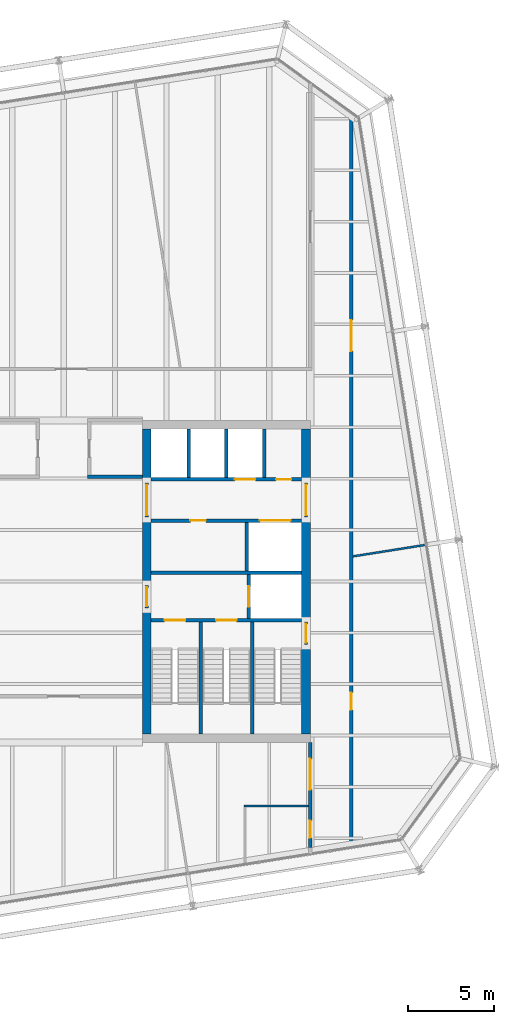
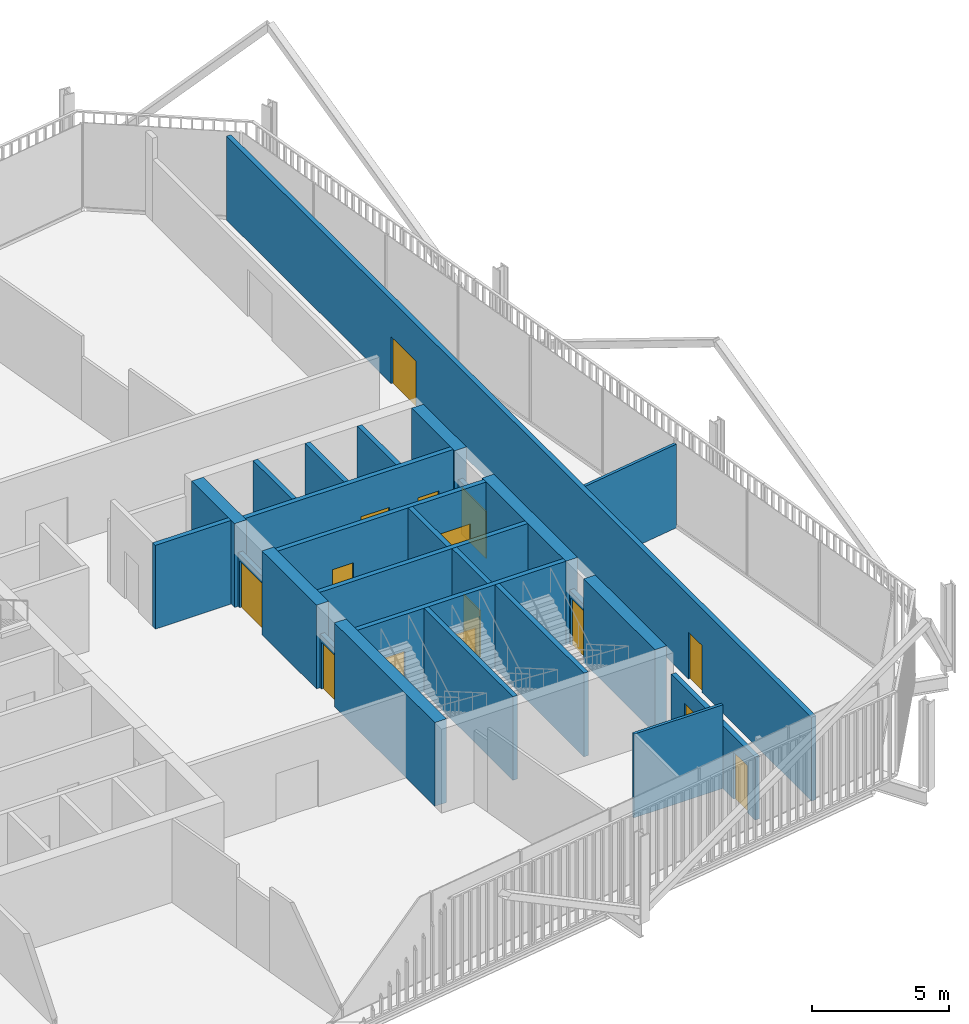
# One storey, part 18 of 21: 26 walls, 15 doors, 15 openings.
"""IFC4 building model written with IfcOpenShell, lengths in metres."""

from ifc_helpers import new_model, si_unit, direction, frame, frame_2d, origin, place, context, subcontext, project, spatial, rectangle, extrude, material, layer, layer_set, type_object, element, fill, save


model = new_model("IFC4")

# Units and contexts
model_context = context("Model", 3, precision=1e-05, world=origin(), true_north=direction((0.0, 1.0)))
body_context = subcontext(model_context, "Body", "Model", "MODEL_VIEW")
ifc_project = project(units=[si_unit("LENGTHUNIT", "METRE"), si_unit("AREAUNIT", "SQUARE_METRE"), si_unit("VOLUMEUNIT", "CUBIC_METRE"), si_unit("PLANEANGLEUNIT", "RADIAN"), si_unit("MASSUNIT", "GRAM", prefix="KILO")], contexts=[model_context])

# Site, building, storey
site_placement = place(None, origin())
site = spatial("IfcSite", under=ifc_project, at=site_placement, CompositionType="ELEMENT")
building_placement = place(site_placement, origin())
building = spatial("IfcBuilding", under=site, at=building_placement, Name="Millrace Tower", CompositionType="ELEMENT")
storey_placement = place(building_placement, frame((0.0, 0.0, 228.10009765625)))
storey = spatial("IfcBuildingStorey", under=building, at=storey_placement, Name="L52", CompositionType="ELEMENT", Elevation=228.10009765625)

# Walls
ifc_material_1 = material(Name="Concrete C60", Category="concrete")
ifc_layer_1 = layer(ifc_material_1, 0.5)
ifc_layer_set_1 = layer_set([ifc_layer_1], Name="Concrete C60")
wall_type_1 = type_object("IfcWallType", Name="Core wall 500 Concrete C60", PredefinedType="SHEAR", material=ifc_layer_set_1)
wall_1_placement = place(storey_placement, frame((14.14990234375, 8.89990234375, 0.0), z_axis=(0.0, 0.0, 1.0), x_axis=(0.0, -1.0, 0.0)))
element("IfcWall", 1, at=wall_1_placement, inside=storey, type_object=wall_type_1, Name="Core wall E L52", PredefinedType="SHEAR", context=body_context, shape_type="SweptSolid", body=[
    extrude(rectangle(XDim=3.14990234375, YDim=0.5, at=frame_2d((1.574951171875, 0.0))), origin(), (0.0, 0.0, 1.0), 3.739990234375),
])
wall_2_placement = place(storey_placement, frame((14.14990234375, 3.75, 0.0), z_axis=(0.0, 0.0, 1.0), x_axis=(0.0, -1.0, 0.0)))
element("IfcWall", 2, at=wall_2_placement, inside=storey, type_object=wall_type_1, Name="Core wall E L52", PredefinedType="SHEAR", context=body_context, shape_type="SweptSolid", body=[
    extrude(rectangle(XDim=6.1298828125, YDim=0.5, at=frame_2d((3.06494140625, 0.0))), origin(), (0.0, 0.0, 1.0), 3.739990234375),
])
wall_3_placement = place(storey_placement, frame((14.14990234375, -3.679931640625, 0.0), z_axis=(0.0, 0.0, 1.0), x_axis=(0.0, -1.0, 0.0)))
element("IfcWall", 3, at=wall_3_placement, inside=storey, type_object=wall_type_1, Name="Core wall E L52", PredefinedType="SHEAR", context=body_context, shape_type="SweptSolid", body=[
    extrude(rectangle(XDim=5.219970703125, YDim=0.5, at=frame_2d((2.60986328125, 0.0))), origin(), (0.0, 0.0, 1.0), 3.739990234375),
])
wall_4_placement = place(storey_placement, frame((4.85009765625, 8.89990234375, 0.0), z_axis=(0.0, 0.0, 1.0), x_axis=(0.0, -1.0, 0.0)))
element("IfcWall", 4, at=wall_4_placement, inside=storey, type_object=wall_type_1, Name="Core wall E L52", PredefinedType="SHEAR", context=body_context, shape_type="SweptSolid", body=[
    extrude(rectangle(XDim=3.14990234375, YDim=0.5, at=frame_2d((1.574951171875, 0.0))), origin(), (0.0, 0.0, 1.0), 3.739990234375),
])
wall_5_placement = place(storey_placement, frame((4.85009765625, 3.75, 0.0), z_axis=(0.0, 0.0, 1.0), x_axis=(0.0, -1.0, 0.0)))
element("IfcWall", 5, at=wall_5_placement, inside=storey, type_object=wall_type_1, Name="Core wall E L52", PredefinedType="SHEAR", context=body_context, shape_type="SweptSolid", body=[
    extrude(rectangle(XDim=4.0, YDim=0.5, at=frame_2d((2.0, 0.0))), origin(), (0.0, 0.0, 1.0), 3.739990234375),
])
wall_6_placement = place(storey_placement, frame((4.85009765625, -1.550048828125, 0.0), z_axis=(0.0, 0.0, 1.0), x_axis=(0.0, -1.0, 0.0)))
element("IfcWall", 6, at=wall_6_placement, inside=storey, type_object=wall_type_1, Name="Core wall E L52", PredefinedType="SHEAR", context=body_context, shape_type="SweptSolid", body=[
    extrude(rectangle(XDim=7.349853515625, YDim=0.5, at=frame_2d((3.6748046875, 0.0))), origin(), (0.0, 0.0, 1.0), 3.739990234375),
])
ifc_material_2 = material(Name="Masonry partition, fire-rated", Category="masonry")
ifc_layer_2 = layer(ifc_material_2, 0.199951171875)
ifc_layer_set_2 = layer_set([ifc_layer_2], Name="Masonry partition, fire-rated")
wall_type_2 = type_object("IfcWallType", Name="Corridor wall 200", PredefinedType="PARTITIONING", material=ifc_layer_set_2)
wall_7_placement = place(storey_placement, frame((1.39990234375, 6.10009765625, 0.0), z_axis=(0.0, 0.0, 1.0), x_axis=(1.0, 0.0, 0.0)))
element("IfcWall", 7, at=wall_7_placement, inside=storey, type_object=wall_type_2, Name="Corridor wall L52", PredefinedType="PARTITIONING", context=body_context, shape_type="SweptSolid", body=[
    extrude(rectangle(XDim=3.2001953125, YDim=0.199951171875, at=frame_2d((1.60009765625, 0.0))), origin(), (0.0, 0.0, 1.0), 3.739990234375),
])

# Wall, openings, doors
wall_8_placement = place(storey_placement, frame((16.800048828125, -15.494384765625, 0.0), z_axis=(0.0, 0.0, 1.0), x_axis=(0.0, 1.0, 0.0)))
wall_8 = element("IfcWall", 8, at=wall_8_placement, inside=storey, type_object=wall_type_2, Name="Corridor wall L52", PredefinedType="PARTITIONING", context=body_context, shape_type="SweptSolid", body=[
    extrude(rectangle(XDim=42.80859375, YDim=0.199951171875, at=frame_2d((21.404296875, 0.0))), origin(), (0.0, 0.0, 1.0), 3.739990234375),
])
opening_1_placement = place(wall_8_placement, frame((7.994384765625, 0.0, 0.0)))
opening_1 = element("IfcOpeningElement", 9, at=opening_1_placement, cuts=wall_8, Name="Opening 52-P010", PredefinedType="OPENING", context=body_context, shape_type="SweptSolid", body=[
    extrude(rectangle(XDim=1.0, YDim=2.10009765625, at=frame_2d((0.5, 1.050048828125))), frame((0.0, 0.10986328125, 0.0), z_axis=(0.0, -1.0, 0.0), x_axis=(1.0, 0.0, 0.0)), (0.0, 0.0, 1.0), 0.219970703125),
])
opening_2_placement = place(wall_8_placement, frame((28.9423828125, 0.0, 0.0)))
opening_2 = element("IfcOpeningElement", 10, at=opening_2_placement, cuts=wall_8, Name="Opening 52-P011", PredefinedType="OPENING", context=body_context, shape_type="SweptSolid", body=[
    extrude(rectangle(XDim=1.800048828125, YDim=2.10009765625, at=frame_2d((0.89990234375, 1.050048828125))), frame((0.0, 0.10986328125, 0.0), z_axis=(0.0, -1.0, 0.0), x_axis=(1.0, 0.0, 0.0)), (0.0, 0.0, 1.0), 0.219970703125),
])
ifc_material_3 = material(Name="Steel door set, fire-rated", Category="steel")
door_type_1 = type_object("IfcDoorType", Name="Corridor door 1000 x 2100", OperationType="SINGLE_SWING_LEFT", PredefinedType="DOOR", material=ifc_material_3)
door_1_placement = place(opening_1_placement, frame((1.0, 0.0, 0.0), z_axis=(0.0, 0.0, 1.0), x_axis=(-1.0, 0.0, 0.0)))
door_1 = element("IfcDoor", 11, at=door_1_placement, inside=storey, type_object=door_type_1, Name="Door 52-P010", OperationType="SINGLE_SWING_RIGHT", OverallHeight=2.10009765625, OverallWidth=1.0, PredefinedType="DOOR", context=body_context, shape_type="SweptSolid", body=[
    extrude(rectangle(XDim=1.0, YDim=2.10009765625, at=frame_2d((0.5, 1.050048828125))), frame((0.0, 0.02490234375, 0.0), z_axis=(0.0, -1.0, 0.0), x_axis=(1.0, 0.0, 0.0)), (0.0, 0.0, 1.0), 0.050048828125),
])
fill(opening_1, door_1)
ifc_material_4 = material(Name="Steel door set, fire-rated", Category="steel")
door_type_2 = type_object("IfcDoorType", Name="Corridor door 1800 x 2100", OperationType="DOUBLE_DOOR_SINGLE_SWING", PredefinedType="DOOR", material=ifc_material_4)
door_2_placement = place(opening_2_placement, frame((1.800048828125, 0.0, 0.0), z_axis=(0.0, 0.0, 1.0), x_axis=(-1.0, 0.0, 0.0)))
door_2 = element("IfcDoor", 12, at=door_2_placement, inside=storey, type_object=door_type_2, Name="Door 52-P011", OperationType="DOUBLE_DOOR_SINGLE_SWING", OverallHeight=2.10009765625, OverallWidth=1.800048828125, PredefinedType="DOOR", context=body_context, shape_type="SweptSolid", body=[
    extrude(rectangle(XDim=1.800048828125, YDim=2.10009765625, at=frame_2d((0.89990234375, 1.050048828125))), frame((0.0, 0.02490234375, 0.0), z_axis=(0.0, -1.0, 0.0), x_axis=(1.0, 0.0, 0.0)), (0.0, 0.0, 1.0), 0.050048828125),
])
fill(opening_2, door_2)

wall_9_placement = place(storey_placement, frame((14.39990234375, -15.52490234375, 0.0), z_axis=(0.0, 0.0, 1.0), x_axis=(0.0, 1.0, 0.0)))
wall_9 = element("IfcWall", 13, at=wall_9_placement, inside=storey, type_object=wall_type_2, Name="Corridor wall L52", PredefinedType="PARTITIONING", context=body_context, shape_type="SweptSolid", body=[
    extrude(rectangle(XDim=6.125, YDim=0.199951171875, at=frame_2d((3.0625, 0.0))), origin(), (0.0, 0.0, 1.0), 2.812744140625),
])
opening_3_placement = place(wall_9_placement, frame((3.363037109375, 0.0, 0.0)))
opening_3 = element("IfcOpeningElement", 14, at=opening_3_placement, cuts=wall_9, Name="Opening 52-P014", PredefinedType="OPENING", context=body_context, shape_type="SweptSolid", body=[
    extrude(rectangle(XDim=1.800048828125, YDim=2.10009765625, at=frame_2d((0.89990234375, 1.050048828125))), frame((0.0, 0.10986328125, 0.0), z_axis=(0.0, -1.0, 0.0), x_axis=(1.0, 0.0, 0.0)), (0.0, 0.0, 1.0), 0.219970703125),
])
opening_4_placement = place(wall_9_placement, frame((0.551025390625, 0.0, 0.0)))
opening_4 = element("IfcOpeningElement", 15, at=opening_4_placement, cuts=wall_9, Name="Opening 52-P015", PredefinedType="OPENING", context=body_context, shape_type="SweptSolid", body=[
    extrude(rectangle(XDim=1.0, YDim=2.10009765625, at=frame_2d((0.5, 1.050048828125))), frame((0.0, 0.10986328125, 0.0), z_axis=(0.0, -1.0, 0.0), x_axis=(1.0, 0.0, 0.0)), (0.0, 0.0, 1.0), 0.219970703125),
])
door_3_placement = place(opening_4_placement, origin())
door_3 = element("IfcDoor", 16, at=door_3_placement, inside=storey, type_object=door_type_1, Name="Door 52-P015", OperationType="SINGLE_SWING_LEFT", OverallHeight=2.10009765625, OverallWidth=1.0, PredefinedType="DOOR", context=body_context, shape_type="SweptSolid", body=[
    extrude(rectangle(XDim=1.0, YDim=2.10009765625, at=frame_2d((0.5, 1.050048828125))), frame((0.0, 0.02490234375, 0.0), z_axis=(0.0, -1.0, 0.0), x_axis=(1.0, 0.0, 0.0)), (0.0, 0.0, 1.0), 0.050048828125),
])
fill(opening_4, door_3)
door_4_placement = place(opening_3_placement, origin())
door_4 = element("IfcDoor", 17, at=door_4_placement, inside=storey, type_object=door_type_2, Name="Door 52-P014", OperationType="DOUBLE_DOOR_SINGLE_SWING", OverallHeight=2.10009765625, OverallWidth=1.800048828125, PredefinedType="DOOR", context=body_context, shape_type="SweptSolid", body=[
    extrude(rectangle(XDim=1.800048828125, YDim=2.10009765625, at=frame_2d((0.89990234375, 1.050048828125))), frame((0.0, 0.02490234375, 0.0), z_axis=(0.0, -1.0, 0.0), x_axis=(1.0, 0.0, 0.0)), (0.0, 0.0, 1.0), 0.050048828125),
])
fill(opening_3, door_4)

ifc_material_5 = material(Name="Masonry partition, fire-rated", Category="masonry")
ifc_layer_3 = layer(ifc_material_5, 0.199951171875)
ifc_layer_set_3 = layer_set([ifc_layer_3], Name="Masonry partition, fire-rated")
wall_type_3 = type_object("IfcWallType", Name="Lift shaft wall 200", PredefinedType="PARTITIONING", material=ifc_layer_set_3)
wall_10_placement = place(storey_placement, frame((13.89990234375, 5.949951171875, 0.0), z_axis=(0.0, 0.0, 1.0), x_axis=(-1.0, 0.0, 0.0)))
wall_10 = element("IfcWall", 18, at=wall_10_placement, inside=storey, type_object=wall_type_3, Name="Lift shaft wall E L52", PredefinedType="PARTITIONING", context=body_context, shape_type="SweptSolid", body=[
    extrude(rectangle(XDim=8.7998046875, YDim=0.199951171875, at=frame_2d((4.39990234375, 0.0))), origin(), (0.0, 0.0, 1.0), 3.739990234375),
])
opening_5_placement = place(wall_10_placement, frame((2.699951171875, 0.0, 0.0)))
opening_5 = element("IfcOpeningElement", 19, at=opening_5_placement, cuts=wall_10, Name="Opening 52-LD10", PredefinedType="OPENING", context=body_context, shape_type="SweptSolid", body=[
    extrude(rectangle(XDim=1.199951171875, YDim=2.10009765625, at=frame_2d((0.60009765625, 1.050048828125))), frame((0.0, 0.10986328125, 0.0), z_axis=(0.0, -1.0, 0.0), x_axis=(1.0, 0.0, 0.0)), (0.0, 0.0, 1.0), 0.219970703125),
])
opening_6_placement = place(wall_10_placement, frame((0.60009765625, 0.0, 0.0)))
opening_6 = element("IfcOpeningElement", 20, at=opening_6_placement, cuts=wall_10, Name="Opening 52-C013", PredefinedType="OPENING", context=body_context, shape_type="SweptSolid", body=[
    extrude(rectangle(XDim=0.89990234375, YDim=2.10009765625, at=frame_2d((0.449951171875, 1.050048828125))), frame((0.0, 0.10986328125, 0.0), z_axis=(0.0, -1.0, 0.0), x_axis=(1.0, 0.0, 0.0)), (0.0, 0.0, 1.0), 0.219970703125),
])
ifc_material_6 = material(Name="Stainless steel, fire-rated", Category="steel")
door_type_3 = type_object("IfcDoorType", Name="Lift landing door 1200 x 2100", OperationType="DOUBLE_DOOR_SLIDING", PredefinedType="DOOR", material=ifc_material_6)
door_5_placement = place(opening_5_placement, origin())
door_5 = element("IfcDoor", 21, at=door_5_placement, inside=storey, type_object=door_type_3, Name="Lift landing door LF10 L52", OperationType="DOUBLE_DOOR_SLIDING", OverallHeight=2.10009765625, OverallWidth=1.199951171875, PredefinedType="DOOR", context=body_context, shape_type="SweptSolid", body=[
    extrude(rectangle(XDim=1.199951171875, YDim=2.10009765625, at=frame_2d((0.60009765625, 1.050048828125))), frame((0.0, 0.02490234375, 0.0), z_axis=(0.0, -1.0, 0.0), x_axis=(1.0, 0.0, 0.0)), (0.0, 0.0, 1.0), 0.050048828125),
])
fill(opening_5, door_5)
ifc_material_7 = material(Name="Steel door, fire-rated", Category="steel")
door_type_4 = type_object("IfcDoorType", Name="Service room door 900 x 2100", OperationType="SINGLE_SWING_LEFT", PredefinedType="DOOR", material=ifc_material_7)
door_6_placement = place(opening_6_placement, frame((0.89990234375, 0.0, 0.0), z_axis=(0.0, 0.0, 1.0), x_axis=(-1.0, 0.0, 0.0)))
door_6 = element("IfcDoor", 22, at=door_6_placement, inside=storey, type_object=door_type_4, Name="Service room door 52-C013", OperationType="SINGLE_SWING_RIGHT", OverallHeight=2.10009765625, OverallWidth=0.89990234375, PredefinedType="DOOR", context=body_context, shape_type="SweptSolid", body=[
    extrude(rectangle(XDim=0.89990234375, YDim=2.10009765625, at=frame_2d((0.449951171875, 1.050048828125))), frame((0.0, 0.02490234375, 0.0), z_axis=(0.0, -1.0, 0.0), x_axis=(1.0, 0.0, 0.0)), (0.0, 0.0, 1.0), 0.050048828125),
])
fill(opening_6, door_6)

wall_11_placement = place(storey_placement, frame((13.89990234375, 3.550048828125, 0.0), z_axis=(0.0, 0.0, 1.0), x_axis=(-1.0, 0.0, 0.0)))
wall_11 = element("IfcWall", 23, at=wall_11_placement, inside=storey, type_object=wall_type_3, Name="Lift shaft wall E L52", PredefinedType="PARTITIONING", context=body_context, shape_type="SweptSolid", body=[
    extrude(rectangle(XDim=8.7998046875, YDim=0.199951171875, at=frame_2d((4.39990234375, 0.0))), origin(), (0.0, 0.0, 1.0), 3.739990234375),
])
opening_7_placement = place(wall_11_placement, frame((0.64990234375, 0.0, 0.0)))
opening_7 = element("IfcOpeningElement", 24, at=opening_7_placement, cuts=wall_11, Name="Opening 52-LD13", PredefinedType="OPENING", context=body_context, shape_type="SweptSolid", body=[
    extrude(rectangle(XDim=1.800048828125, YDim=2.10009765625, at=frame_2d((0.89990234375, 1.050048828125))), frame((0.0, 0.10986328125, 0.0), z_axis=(0.0, -1.0, 0.0), x_axis=(1.0, 0.0, 0.0)), (0.0, 0.0, 1.0), 0.219970703125),
])
opening_8_placement = place(wall_11_placement, frame((5.60009765625, 0.0, 0.0)))
opening_8 = element("IfcOpeningElement", 25, at=opening_8_placement, cuts=wall_11, Name="Opening 52-C014", PredefinedType="OPENING", context=body_context, shape_type="SweptSolid", body=[
    extrude(rectangle(XDim=0.89990234375, YDim=2.10009765625, at=frame_2d((0.449951171875, 1.050048828125))), frame((0.0, 0.10986328125, 0.0), z_axis=(0.0, -1.0, 0.0), x_axis=(1.0, 0.0, 0.0)), (0.0, 0.0, 1.0), 0.219970703125),
])
ifc_material_8 = material(Name="Stainless steel, fire-rated", Category="steel")
door_type_5 = type_object("IfcDoorType", Name="Lift landing door 1800 x 2100", OperationType="DOUBLE_DOOR_SLIDING", PredefinedType="DOOR", material=ifc_material_8)
door_7_placement = place(opening_7_placement, origin())
door_7 = element("IfcDoor", 26, at=door_7_placement, inside=storey, type_object=door_type_5, Name="Lift landing door LF13 L52", OperationType="DOUBLE_DOOR_SLIDING", OverallHeight=2.10009765625, OverallWidth=1.800048828125, PredefinedType="DOOR", context=body_context, shape_type="SweptSolid", body=[
    extrude(rectangle(XDim=1.800048828125, YDim=2.10009765625, at=frame_2d((0.89990234375, 1.050048828125))), frame((0.0, 0.02490234375, 0.0), z_axis=(0.0, -1.0, 0.0), x_axis=(1.0, 0.0, 0.0)), (0.0, 0.0, 1.0), 0.050048828125),
])
fill(opening_7, door_7)
door_8_placement = place(opening_8_placement, origin())
door_8 = element("IfcDoor", 27, at=door_8_placement, inside=storey, type_object=door_type_4, Name="Service room door 52-C014", OperationType="SINGLE_SWING_RIGHT", OverallHeight=2.10009765625, OverallWidth=0.89990234375, PredefinedType="DOOR", context=body_context, shape_type="SweptSolid", body=[
    extrude(rectangle(XDim=0.89990234375, YDim=2.10009765625, at=frame_2d((0.449951171875, 1.050048828125))), frame((0.0, 0.02490234375, 0.0), z_axis=(0.0, -1.0, 0.0), x_axis=(1.0, 0.0, 0.0)), (0.0, 0.0, 1.0), 0.050048828125),
])
fill(opening_8, door_8)

# Wall
wall_12_placement = place(storey_placement, frame((13.89990234375, 0.5, 0.0), z_axis=(0.0, 0.0, 1.0), x_axis=(-1.0, 0.0, 0.0)))
element("IfcWall", 28, at=wall_12_placement, inside=storey, type_object=wall_type_3, Name="Lift shaft wall E L52", PredefinedType="PARTITIONING", context=body_context, shape_type="SweptSolid", body=[
    extrude(rectangle(XDim=8.7998046875, YDim=0.199951171875, at=frame_2d((4.39990234375, 0.0))), origin(), (0.0, 0.0, 1.0), 3.739990234375),
])

# Wall, opening, door
wall_13_placement = place(storey_placement, frame((10.800048828125, 0.39990234375, 0.0), z_axis=(0.0, 0.0, 1.0), x_axis=(0.0, -1.0, 0.0)))
wall_13 = element("IfcWall", 29, at=wall_13_placement, inside=storey, type_object=wall_type_3, Name="Lift shaft wall E L52", PredefinedType="PARTITIONING", context=body_context, shape_type="SweptSolid", body=[
    extrude(rectangle(XDim=2.579833984375, YDim=0.199951171875, at=frame_2d((1.2900390625, 0.0))), origin(), (0.0, 0.0, 1.0), 3.739990234375),
])
opening_9_placement = place(wall_13_placement, frame((0.68994140625, 0.0, 0.0)))
opening_9 = element("IfcOpeningElement", 30, at=opening_9_placement, cuts=wall_13, Name="Opening 52-LD16", PredefinedType="OPENING", context=body_context, shape_type="SweptSolid", body=[
    extrude(rectangle(XDim=1.199951171875, YDim=2.10009765625, at=frame_2d((0.60009765625, 1.050048828125))), frame((0.0, 0.10986328125, 0.0), z_axis=(0.0, -1.0, 0.0), x_axis=(1.0, 0.0, 0.0)), (0.0, 0.0, 1.0), 0.219970703125),
])
door_9_placement = place(opening_9_placement, origin())
door_9 = element("IfcDoor", 31, at=door_9_placement, inside=storey, type_object=door_type_3, Name="Lift landing door LF16 L52", OperationType="DOUBLE_DOOR_SLIDING", OverallHeight=2.10009765625, OverallWidth=1.199951171875, PredefinedType="DOOR", context=body_context, shape_type="SweptSolid", body=[
    extrude(rectangle(XDim=1.199951171875, YDim=2.10009765625, at=frame_2d((0.60009765625, 1.050048828125))), frame((0.0, 0.02490234375, 0.0), z_axis=(0.0, -1.0, 0.0), x_axis=(1.0, 0.0, 0.0)), (0.0, 0.0, 1.0), 0.050048828125),
])
fill(opening_9, door_9)

# Walls
for number, where, z_axis, x_axis, name in (
    (32, (11.699951171875, 8.89990234375, 0.0), (0.0, 0.0, 1.0), (0.0, -1.0, 0.0), "Lift shaft wall E L52"),
    (33, (9.5, 8.89990234375, 0.0), (0.0, 0.0, 1.0), (0.0, -1.0, 0.0), "Lift shaft wall E L52"),
    (34, (7.300048828125, 8.89990234375, 0.0), (0.0, 0.0, 1.0), (0.0, -1.0, 0.0), "Lift shaft wall E L52"),
    (35, (10.699951171875, 3.449951171875, 0.0), (0.0, 0.0, 1.0), (0.0, -1.0, 0.0), "Lift shaft wall E L52"),
):
    element("IfcWall", number, at=place(storey_placement, frame(where, z_axis=z_axis, x_axis=x_axis)), inside=storey, type_object=wall_type_3, Name=name, PredefinedType="PARTITIONING", context=body_context, shape_type="SweptSolid", body=[
        extrude(rectangle(XDim=2.849853515625, YDim=0.199951171875, at=frame_2d((1.4248046875, 0.0))), origin(), (0.0, 0.0, 1.0), 3.739990234375),
    ])

# Wall, opening, door
ifc_material_9 = material(Name="Masonry partition, fire-rated", Category="masonry")
ifc_layer_4 = layer(ifc_material_9, 0.199951171875)
ifc_layer_set_4 = layer_set([ifc_layer_4], Name="Masonry partition, fire-rated")
wall_type_4 = type_object("IfcWallType", Name="Lobby wall 200", PredefinedType="PARTITIONING", material=ifc_layer_set_4)
wall_14_placement = place(storey_placement, frame((14.14990234375, 5.75, 0.0), z_axis=(0.0, 0.0, 1.0), x_axis=(0.0, -1.0, 0.0)))
wall_14 = element("IfcWall", 36, at=wall_14_placement, inside=storey, type_object=wall_type_4, Name="Lobby wall E L52", PredefinedType="PARTITIONING", context=body_context, shape_type="SweptSolid", body=[
    extrude(rectangle(XDim=2.0, YDim=0.199951171875, at=frame_2d((1.0, 0.0))), origin(), (0.0, 0.0, 1.0), 2.39990234375),
])
opening_10_placement = place(wall_14_placement, frame((0.10009765625, 0.0, 0.0)))
opening_10 = element("IfcOpeningElement", 37, at=opening_10_placement, cuts=wall_14, Name="Opening 52-C009", PredefinedType="OPENING", context=body_context, shape_type="SweptSolid", body=[
    extrude(rectangle(XDim=1.800048828125, YDim=2.10009765625, at=frame_2d((0.89990234375, 1.050048828125))), frame((0.0, 0.10986328125, 0.0), z_axis=(0.0, -1.0, 0.0), x_axis=(1.0, 0.0, 0.0)), (0.0, 0.0, 1.0), 0.219970703125),
])
ifc_material_10 = material(Name="Steel door, fire-rated", Category="steel")
door_type_6 = type_object("IfcDoorType", Name="Lobby door 1800 x 2100", OperationType="DOUBLE_DOOR_SINGLE_SWING", PredefinedType="DOOR", material=ifc_material_10)
door_10_placement = place(opening_10_placement, origin())
door_10 = element("IfcDoor", 38, at=door_10_placement, inside=storey, type_object=door_type_6, Name="Lobby door 52-C009", OperationType="DOUBLE_DOOR_SINGLE_SWING", OverallHeight=2.10009765625, OverallWidth=1.800048828125, PredefinedType="DOOR", context=body_context, shape_type="SweptSolid", body=[
    extrude(rectangle(XDim=1.800048828125, YDim=2.10009765625, at=frame_2d((0.89990234375, 1.050048828125))), frame((0.0, 0.02490234375, 0.0), z_axis=(0.0, -1.0, 0.0), x_axis=(1.0, 0.0, 0.0)), (0.0, 0.0, 1.0), 0.050048828125),
])
fill(opening_10, door_10)

wall_15_placement = place(storey_placement, frame((4.85009765625, 5.75, 0.0), z_axis=(0.0, 0.0, 1.0), x_axis=(0.0, -1.0, 0.0)))
wall_15 = element("IfcWall", 39, at=wall_15_placement, inside=storey, type_object=wall_type_4, Name="Lobby wall E L52", PredefinedType="PARTITIONING", context=body_context, shape_type="SweptSolid", body=[
    extrude(rectangle(XDim=2.0, YDim=0.199951171875, at=frame_2d((1.0, 0.0))), origin(), (0.0, 0.0, 1.0), 2.39990234375),
])
opening_11_placement = place(wall_15_placement, frame((0.10009765625, 0.0, 0.0)))
opening_11 = element("IfcOpeningElement", 40, at=opening_11_placement, cuts=wall_15, Name="Opening 52-C011", PredefinedType="OPENING", context=body_context, shape_type="SweptSolid", body=[
    extrude(rectangle(XDim=1.800048828125, YDim=2.10009765625, at=frame_2d((0.89990234375, 1.050048828125))), frame((0.0, 0.10986328125, 0.0), z_axis=(0.0, -1.0, 0.0), x_axis=(1.0, 0.0, 0.0)), (0.0, 0.0, 1.0), 0.219970703125),
])
door_11_placement = place(opening_11_placement, frame((1.800048828125, 0.0, 0.0), z_axis=(0.0, 0.0, 1.0), x_axis=(-1.0, 0.0, 0.0)))
door_11 = element("IfcDoor", 41, at=door_11_placement, inside=storey, type_object=door_type_6, Name="Lobby door 52-C011", OperationType="DOUBLE_DOOR_SINGLE_SWING", OverallHeight=2.10009765625, OverallWidth=1.800048828125, PredefinedType="DOOR", context=body_context, shape_type="SweptSolid", body=[
    extrude(rectangle(XDim=1.800048828125, YDim=2.10009765625, at=frame_2d((0.89990234375, 1.050048828125))), frame((0.0, 0.02490234375, 0.0), z_axis=(0.0, -1.0, 0.0), x_axis=(1.0, 0.0, 0.0)), (0.0, 0.0, 1.0), 0.050048828125),
])
fill(opening_11, door_11)

wall_16_placement = place(storey_placement, frame((4.85009765625, -0.25, 0.0), z_axis=(0.0, 0.0, 1.0), x_axis=(0.0, -1.0, 0.0)))
wall_16 = element("IfcWall", 42, at=wall_16_placement, inside=storey, type_object=wall_type_4, Name="Lobby wall E L52", PredefinedType="PARTITIONING", context=body_context, shape_type="SweptSolid", body=[
    extrude(rectangle(XDim=1.300048828125, YDim=0.199951171875, at=frame_2d((0.64990234375, 0.0))), origin(), (0.0, 0.0, 1.0), 2.39990234375),
])
opening_12_placement = place(wall_16_placement, frame((0.10009765625, 0.0, 0.0)))
opening_12 = element("IfcOpeningElement", 43, at=opening_12_placement, cuts=wall_16, Name="Opening 52-C012", PredefinedType="OPENING", context=body_context, shape_type="SweptSolid", body=[
    extrude(rectangle(XDim=1.10009765625, YDim=2.10009765625, at=frame_2d((0.550048828125, 1.050048828125))), frame((0.0, 0.10986328125, 0.0), z_axis=(0.0, -1.0, 0.0), x_axis=(1.0, 0.0, 0.0)), (0.0, 0.0, 1.0), 0.219970703125),
])
ifc_material_11 = material(Name="Steel door, fire-rated", Category="steel")
door_type_7 = type_object("IfcDoorType", Name="Lobby door 1100 x 2100", OperationType="SINGLE_SWING_LEFT", PredefinedType="DOOR", material=ifc_material_11)
door_12_placement = place(opening_12_placement, frame((1.10009765625, 0.0, 0.0), z_axis=(0.0, 0.0, 1.0), x_axis=(-1.0, 0.0, 0.0)))
door_12 = element("IfcDoor", 44, at=door_12_placement, inside=storey, type_object=door_type_7, Name="Lobby door 52-C012", OperationType="SINGLE_SWING_RIGHT", OverallHeight=2.10009765625, OverallWidth=1.10009765625, PredefinedType="DOOR", context=body_context, shape_type="SweptSolid", body=[
    extrude(rectangle(XDim=1.10009765625, YDim=2.10009765625, at=frame_2d((0.550048828125, 1.050048828125))), frame((0.0, 0.02490234375, 0.0), z_axis=(0.0, -1.0, 0.0), x_axis=(1.0, 0.0, 0.0)), (0.0, 0.0, 1.0), 0.050048828125),
])
fill(opening_12, door_12)

# Walls
ifc_material_12 = material(Name="Gypsum board partition")
ifc_layer_5 = layer(ifc_material_12, 0.1201171875)
ifc_layer_set_5 = layer_set([ifc_layer_5], Name="Gypsum board partition")
wall_type_5 = type_object("IfcWallType", Name="Partition wall 120", PredefinedType="PARTITIONING", material=ifc_layer_set_5)
wall_17_placement = place(storey_placement, frame((10.5400390625, -13.1240234375, 0.0), z_axis=(0.0, 0.0, 1.0), x_axis=(1.0, 0.0, 0.0)))
element("IfcWall", 45, at=wall_17_placement, inside=storey, type_object=wall_type_5, Name="Partition wall L52", PredefinedType="PARTITIONING", context=body_context, shape_type="SweptSolid", body=[
    extrude(rectangle(XDim=3.760009765625, YDim=0.1201171875, at=frame_2d((1.8798828125, 0.0))), origin(), (0.0, 0.0, 1.0), 3.739990234375),
])
wall_18_placement = place(storey_placement, frame((16.898681640625, 1.459716796875, 0.0), z_axis=(0.0, 0.0, 1.0), x_axis=(0.987700537399, 0.156357438014, 0.0)))
element("IfcWall", 46, at=wall_18_placement, inside=storey, type_object=wall_type_5, Name="Partition wall L52", PredefinedType="PARTITIONING", context=body_context, shape_type="SweptSolid", body=[
    extrude(rectangle(XDim=4.2861328125, YDim=0.1201171875, at=frame_2d((2.14306640625, 0.0))), origin(), (0.0, 0.0, 1.0), 3.739990234375),
])

# Wall, opening, door
ifc_material_13 = material(Name="Concrete C40", Category="concrete")
ifc_layer_6 = layer(ifc_material_13, 0.199951171875)
ifc_layer_set_6 = layer_set([ifc_layer_6], Name="Concrete C40")
wall_type_6 = type_object("IfcWallType", Name="Stair enclosure wall 200 Concrete C40", PredefinedType="SHEAR", material=ifc_layer_set_6)
wall_19_placement = place(storey_placement, frame((14.14990234375, -2.3798828125, 0.0), z_axis=(0.0, 0.0, 1.0), x_axis=(0.0, -1.0, 0.0)))
wall_19 = element("IfcWall", 47, at=wall_19_placement, inside=storey, type_object=wall_type_6, Name="Stair enclosure wall E L52", PredefinedType="SHEAR", context=body_context, shape_type="SweptSolid", body=[
    extrude(rectangle(XDim=1.300048828125, YDim=0.199951171875, at=frame_2d((0.64990234375, 0.0))), origin(), (0.0, 0.0, 1.0), 2.39990234375),
])
opening_13_placement = place(wall_19_placement, frame((0.10009765625, 0.0, 0.0)))
opening_13 = element("IfcOpeningElement", 48, at=opening_13_placement, cuts=wall_19, Name="Opening 52-C010", PredefinedType="OPENING", context=body_context, shape_type="SweptSolid", body=[
    extrude(rectangle(XDim=1.10009765625, YDim=2.10009765625, at=frame_2d((0.550048828125, 1.050048828125))), frame((0.0, 0.10986328125, 0.0), z_axis=(0.0, -1.0, 0.0), x_axis=(1.0, 0.0, 0.0)), (0.0, 0.0, 1.0), 0.219970703125),
])
ifc_material_14 = material(Name="Steel door, fire-rated", Category="steel")
door_type_8 = type_object("IfcDoorType", Name="Stair door 1100 x 2100", OperationType="SINGLE_SWING_LEFT", PredefinedType="DOOR", material=ifc_material_14)
door_13_placement = place(opening_13_placement, origin())
door_13 = element("IfcDoor", 49, at=door_13_placement, inside=storey, type_object=door_type_8, Name="Stair door 52-C010", OperationType="SINGLE_SWING_RIGHT", OverallHeight=2.10009765625, OverallWidth=1.10009765625, PredefinedType="DOOR", context=body_context, shape_type="SweptSolid", body=[
    extrude(rectangle(XDim=1.10009765625, YDim=2.10009765625, at=frame_2d((0.550048828125, 1.050048828125))), frame((0.0, 0.02490234375, 0.0), z_axis=(0.0, -1.0, 0.0), x_axis=(1.0, 0.0, 0.0)), (0.0, 0.0, 1.0), 0.050048828125),
])
fill(opening_13, door_13)

# Wall, openings, doors
wall_20_placement = place(storey_placement, frame((13.89990234375, -2.280029296875, 0.0), z_axis=(0.0, 0.0, 1.0), x_axis=(-1.0, 0.0, 0.0)))
wall_20 = element("IfcWall", 50, at=wall_20_placement, inside=storey, type_object=wall_type_6, Name="Stair enclosure wall E L52", PredefinedType="SHEAR", context=body_context, shape_type="SweptSolid", body=[
    extrude(rectangle(XDim=8.7998046875, YDim=0.199951171875, at=frame_2d((4.39990234375, 0.0))), origin(), (0.0, 0.0, 1.0), 3.739990234375),
])
opening_14_placement = place(wall_20_placement, frame((3.800048828125, 0.0, 0.0)))
opening_14 = element("IfcOpeningElement", 51, at=opening_14_placement, cuts=wall_20, Name="Opening 52-C015", PredefinedType="OPENING", context=body_context, shape_type="SweptSolid", body=[
    extrude(rectangle(XDim=1.199951171875, YDim=2.10009765625, at=frame_2d((0.60009765625, 1.050048828125))), frame((0.0, 0.10986328125, 0.0), z_axis=(0.0, -1.0, 0.0), x_axis=(1.0, 0.0, 0.0)), (0.0, 0.0, 1.0), 0.219970703125),
])
opening_15_placement = place(wall_20_placement, frame((6.800048828125, 0.0, 0.0)))
opening_15 = element("IfcOpeningElement", 52, at=opening_15_placement, cuts=wall_20, Name="Opening 52-C016", PredefinedType="OPENING", context=body_context, shape_type="SweptSolid", body=[
    extrude(rectangle(XDim=1.199951171875, YDim=2.10009765625, at=frame_2d((0.60009765625, 1.050048828125))), frame((0.0, 0.10986328125, 0.0), z_axis=(0.0, -1.0, 0.0), x_axis=(1.0, 0.0, 0.0)), (0.0, 0.0, 1.0), 0.219970703125),
])
ifc_material_15 = material(Name="Steel door, fire-rated", Category="steel")
door_type_9 = type_object("IfcDoorType", Name="Stair door 1200 x 2100", OperationType="SINGLE_SWING_LEFT", PredefinedType="DOOR", material=ifc_material_15)
door_14_placement = place(opening_14_placement, frame((1.199951171875, 0.0, 0.0), z_axis=(0.0, 0.0, 1.0), x_axis=(-1.0, 0.0, 0.0)))
door_14 = element("IfcDoor", 53, at=door_14_placement, inside=storey, type_object=door_type_9, Name="Stair door 52-C015", OperationType="SINGLE_SWING_LEFT", OverallHeight=2.10009765625, OverallWidth=1.199951171875, PredefinedType="DOOR", context=body_context, shape_type="SweptSolid", body=[
    extrude(rectangle(XDim=1.199951171875, YDim=2.10009765625, at=frame_2d((0.60009765625, 1.050048828125))), frame((0.0, 0.02490234375, 0.0), z_axis=(0.0, -1.0, 0.0), x_axis=(1.0, 0.0, 0.0)), (0.0, 0.0, 1.0), 0.050048828125),
])
fill(opening_14, door_14)
door_15_placement = place(opening_15_placement, frame((1.199951171875, 0.0, 0.0), z_axis=(0.0, 0.0, 1.0), x_axis=(-1.0, 0.0, 0.0)))
door_15 = element("IfcDoor", 54, at=door_15_placement, inside=storey, type_object=door_type_9, Name="Stair door 52-C016", OperationType="SINGLE_SWING_LEFT", OverallHeight=2.10009765625, OverallWidth=1.199951171875, PredefinedType="DOOR", context=body_context, shape_type="SweptSolid", body=[
    extrude(rectangle(XDim=1.199951171875, YDim=2.10009765625, at=frame_2d((0.60009765625, 1.050048828125))), frame((0.0, 0.02490234375, 0.0), z_axis=(0.0, -1.0, 0.0), x_axis=(1.0, 0.0, 0.0)), (0.0, 0.0, 1.0), 0.050048828125),
])
fill(opening_15, door_15)

# Walls
for number, where, z_axis, x_axis, name in (
    (55, (11.0, -2.3798828125, 0.0), (0.0, 0.0, 1.0), (0.0, -1.0, 0.0), "Stair enclosure wall E L52"),
    (56, (8.0, -2.3798828125, 0.0), (0.0, 0.0, 1.0), (0.0, -1.0, 0.0), "Stair enclosure wall E L52"),
):
    element("IfcWall", number, at=place(storey_placement, frame(where, z_axis=z_axis, x_axis=x_axis)), inside=storey, type_object=wall_type_6, Name=name, PredefinedType="SHEAR", context=body_context, shape_type="SweptSolid", body=[
        extrude(rectangle(XDim=6.52001953125, YDim=0.199951171875, at=frame_2d((3.260009765625, 0.0))), origin(), (0.0, 0.0, 1.0), 3.739990234375),
    ])

save(model, "model.ifc")
